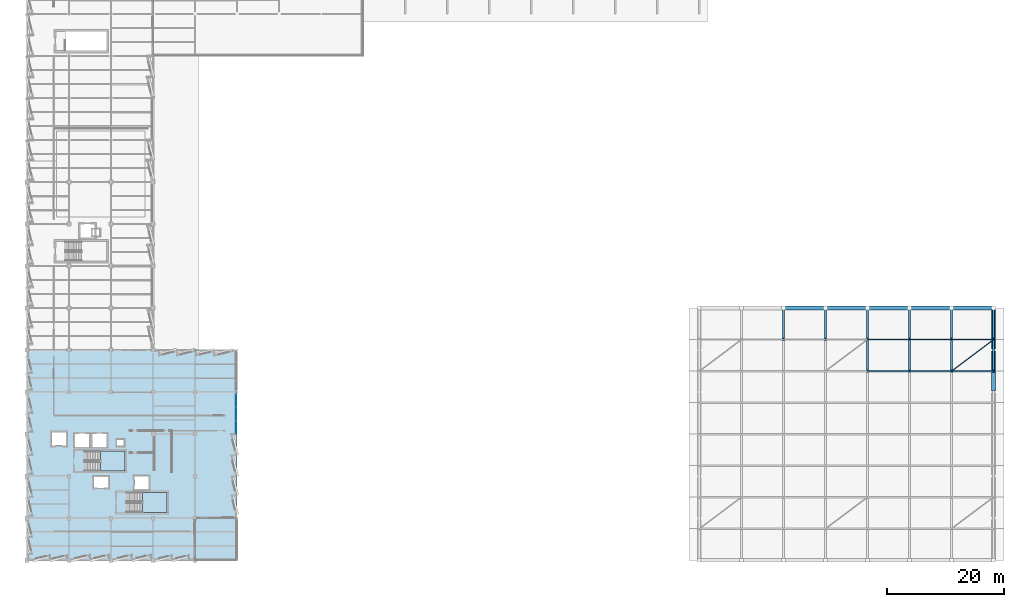
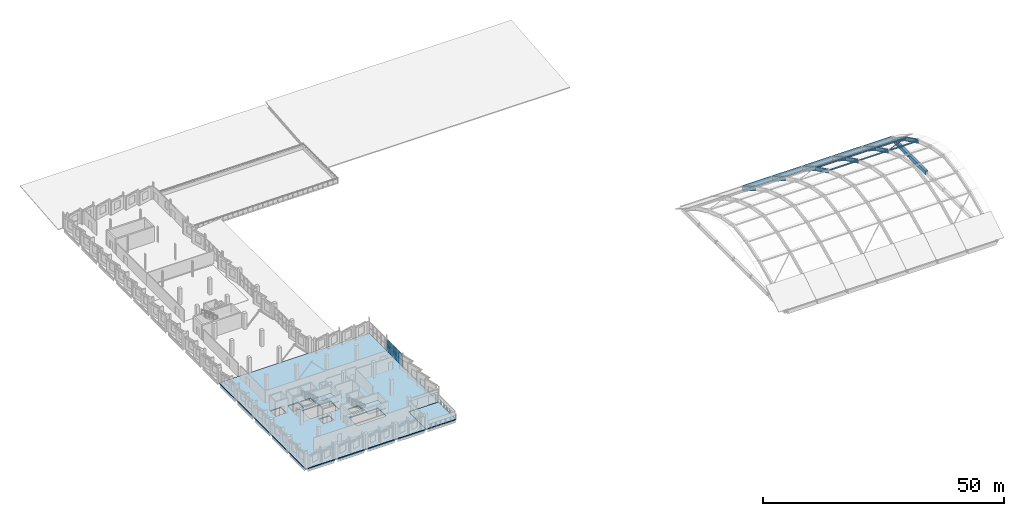
# One storey, part 22 of 38: 17 beams, 7 members, 6 plates, 4 slabs, 3 elements without a shape of their own.
"""IFC4 building model written with IfcOpenShell, lengths in metres."""

from ifc_helpers import new_model, si_unit, direction, frame, origin, origin_2d, place, context, subcontext, project, spatial, polyline, rectangle, hollow_rectangle, i_section, outline, extrude, material, layer, layer_set, material_profile, profile_set, type_object, element, aggregate, save


model = new_model("IFC4")

# Units and contexts
model_context = context("Model", 3, precision=1e-05, world=origin(), true_north=direction((0.0, 1.0)))
body_context = subcontext(model_context, "Body", "Model", "MODEL_VIEW")
ifc_project = project(units=[si_unit("LENGTHUNIT", "METRE"), si_unit("AREAUNIT", "SQUARE_METRE"), si_unit("VOLUMEUNIT", "CUBIC_METRE"), si_unit("PLANEANGLEUNIT", "RADIAN"), si_unit("MASSUNIT", "GRAM", prefix="KILO")], contexts=[model_context])

# Site, building, storey
site_placement = place(None, origin())
site = spatial("IfcSite", under=ifc_project, at=site_placement, CompositionType="ELEMENT")
building_placement = place(site_placement, origin())
building = spatial("IfcBuilding", under=site, at=building_placement, Name="Kalmorath City Hall", CompositionType="ELEMENT")
storey_placement = place(building_placement, frame((0.0, 0.0, 18.89990234375)))
storey = spatial("IfcBuildingStorey", under=building, at=storey_placement, Name="L04", CompositionType="ELEMENT", Elevation=18.89990234375)

# Beams
ifc_material_1 = material(Name="Concrete C50/60", Category="concrete")
ifc_material_profile_1 = material_profile(ifc_material_1, rectangle(XDim=0.64990234375, YDim=0.949951171875, at=origin_2d()), Name="RC-RING-650X950")
ifc_profile_set_1 = profile_set([ifc_material_profile_1], Name="Concrete C50/60")
beam_type_1 = type_object("IfcBeamType", Name="Concrete shell ring beam 650x950", PredefinedType="SPANDREL", material=ifc_profile_set_1)
beam_1_placement = place(storey_placement, frame((129.784423828125, 43.199951171875, -0.474853515625), z_axis=(1.0, 0.0, 0.0), x_axis=(0.0, 1.0, 0.0)))
element("IfcBeam", 1, at=beam_1_placement, inside=storey, type_object=beam_type_1, Name="Chamber shell perimeter edge beam RB1-N3", PredefinedType="SPANDREL", context=body_context, shape_type="SweptSolid", body=[
    extrude(rectangle(XDim=0.64990234375, YDim=0.949951171875, at=origin_2d()), origin(), (0.0, 0.0, 1.0), 6.8876953125),
])
for number, where, z_axis, x_axis, name in (
    (2, (136.927978515625, 43.199951171875, -0.474853515625), (1.0, 0.0, 0.0), (0.0, 1.0, 0.0), "Chamber shell perimeter edge beam RB1-N4"),
    (3, (144.1845703125, 43.199951171875, -0.474853515625), (1.0, 0.0, 0.0), (0.0, 1.0, 0.0), "Chamber shell perimeter edge beam RB1-N5"),
):
    element("IfcBeam", number, at=place(storey_placement, frame(where, z_axis=z_axis, x_axis=x_axis)), inside=storey, type_object=beam_type_1, Name=name, PredefinedType="SPANDREL", context=body_context, shape_type="SweptSolid", body=[
        extrude(rectangle(XDim=0.64990234375, YDim=0.949951171875, at=origin_2d()), origin(), (0.0, 0.0, 1.0), 6.887451171875),
    ])
beam_2_placement = place(storey_placement, frame((151.327880859375, 43.199951171875, -0.474853515625), z_axis=(1.0, 0.0, 0.0), x_axis=(0.0, 1.0, 0.0)))
element("IfcBeam", 4, at=beam_2_placement, inside=storey, type_object=beam_type_1, Name="Chamber shell perimeter edge beam RB1-N6", PredefinedType="SPANDREL", context=body_context, shape_type="SweptSolid", body=[
    extrude(rectangle(XDim=0.64990234375, YDim=0.949951171875, at=origin_2d()), origin(), (0.0, 0.0, 1.0), 6.8876953125),
])
beam_3_placement = place(storey_placement, frame((158.58447265625, 43.199951171875, -0.474853515625), z_axis=(1.0, 0.0, 0.0), x_axis=(0.0, 1.0, 0.0)))
element("IfcBeam", 5, at=beam_3_placement, inside=storey, type_object=beam_type_1, Name="Chamber shell perimeter edge beam RB1-N7", PredefinedType="SPANDREL", context=body_context, shape_type="SweptSolid", body=[
    extrude(rectangle(XDim=0.64990234375, YDim=0.949951171875, at=origin_2d()), origin(), (0.0, 0.0, 1.0), 6.887451171875),
])
for number, where, z_axis, x_axis, name in (
    (6, (165.60009765625, 28.97998046875, -0.474853515625), (0.0, 1.0, 0.0), (-1.0, 0.0, 0.0), "Chamber shell gable tie beam RB1-E5"),
    (7, (165.60009765625, 36.179931640625, -0.474853515625), (0.0, 1.0, 0.0), (-1.0, 0.0, 0.0), "Chamber shell gable tie beam RB1-E6"),
):
    element("IfcBeam", number, at=place(storey_placement, frame(where, z_axis=z_axis, x_axis=x_axis)), inside=storey, type_object=beam_type_1, Name=name, PredefinedType="SPANDREL", context=body_context, shape_type="SweptSolid", body=[
        extrude(rectangle(XDim=0.64990234375, YDim=0.949951171875, at=origin_2d()), origin(), (0.0, 0.0, 1.0), 6.840087890625),
    ])
ifc_material_2 = material(Name="Steel ASTM A992 Grade 50", Category="steel")
ifc_material_profile_2 = material_profile(ifc_material_2, i_section(OverallWidth=0.306884765625, OverallDepth=0.923095703125, WebThickness=0.018310546875, FlangeThickness=0.030029296875, FilletRadius=0.02392578125, at=origin_2d()), Name="W36X182")
ifc_profile_set_2 = profile_set([ifc_material_profile_2], Name="Steel ASTM A992 Grade 50")
beam_type_2 = type_object("IfcBeamType", Name="Steel parabolic shell arch rib W36X182", PredefinedType="BEAM", material=ifc_profile_set_2)
for number, where, z_axis, x_axis, name in (
    (8, (129.60009765625, 37.800048828125, 2.78564453125), (0.0, 0.840066062404, -0.542484111101), (-1.0, 0.0, 0.0), "Chamber shell arch rib AR2 R3.8"),
    (9, (136.800048828125, 37.800048828125, 2.78564453125), (0.0, 0.840066062404, -0.542484111101), (-1.0, 0.0, 0.0), "Chamber shell arch rib AR2 R4.8"),
):
    element("IfcBeam", number, at=place(storey_placement, frame(where, z_axis=z_axis, x_axis=x_axis)), inside=storey, type_object=beam_type_2, Name=name, PredefinedType="BEAM", context=body_context, shape_type="SweptSolid", body=[
        extrude(i_section(OverallWidth=0.306884765625, OverallDepth=0.923095703125, WebThickness=0.018310546875, FlangeThickness=0.030029296875, FilletRadius=0.02392578125, at=origin_2d()), origin(), (0.0, 0.0, 1.0), 6.427978515625),
    ])
beam_4_placement = place(storey_placement, frame((144.0, 32.39990234375, 5.41455078125), z_axis=(0.0, 0.899116638092, -0.437709117002), x_axis=(-1.0, 0.0, 0.0)))
element("IfcBeam", 10, at=beam_4_placement, inside=storey, type_object=beam_type_2, Name="Chamber shell arch rib AR2 R5.7", PredefinedType="BEAM", context=body_context, shape_type="SweptSolid", body=[
    extrude(i_section(OverallWidth=0.306884765625, OverallDepth=0.923095703125, WebThickness=0.018310546875, FlangeThickness=0.030029296875, FilletRadius=0.02392578125, at=origin_2d()), origin(), (0.0, 0.0, 1.0), 6.006103515625),
])
beam_5_placement = place(storey_placement, frame((144.0, 37.800048828125, 2.78564453125), z_axis=(0.0, 0.840066062404, -0.542484111101), x_axis=(-1.0, 0.0, 0.0)))
element("IfcBeam", 11, at=beam_5_placement, inside=storey, type_object=beam_type_2, Name="Chamber shell arch rib AR2 R5.8", PredefinedType="BEAM", context=body_context, shape_type="SweptSolid", body=[
    extrude(i_section(OverallWidth=0.306884765625, OverallDepth=0.923095703125, WebThickness=0.018310546875, FlangeThickness=0.030029296875, FilletRadius=0.02392578125, at=origin_2d()), origin(), (0.0, 0.0, 1.0), 6.427978515625),
])
beam_6_placement = place(storey_placement, frame((151.199951171875, 32.39990234375, 5.41455078125), z_axis=(0.0, 0.899116638092, -0.437709117002), x_axis=(-1.0, 0.0, 0.0)))
element("IfcBeam", 12, at=beam_6_placement, inside=storey, type_object=beam_type_2, Name="Chamber shell arch rib AR2 R6.7", PredefinedType="BEAM", context=body_context, shape_type="SweptSolid", body=[
    extrude(i_section(OverallWidth=0.306884765625, OverallDepth=0.923095703125, WebThickness=0.018310546875, FlangeThickness=0.030029296875, FilletRadius=0.02392578125, at=origin_2d()), origin(), (0.0, 0.0, 1.0), 6.006103515625),
])
beam_7_placement = place(storey_placement, frame((151.199951171875, 37.800048828125, 2.78564453125), z_axis=(0.0, 0.840066062404, -0.542484111101), x_axis=(-1.0, 0.0, 0.0)))
element("IfcBeam", 13, at=beam_7_placement, inside=storey, type_object=beam_type_2, Name="Chamber shell arch rib AR2 R6.8", PredefinedType="BEAM", context=body_context, shape_type="SweptSolid", body=[
    extrude(i_section(OverallWidth=0.306884765625, OverallDepth=0.923095703125, WebThickness=0.018310546875, FlangeThickness=0.030029296875, FilletRadius=0.02392578125, at=origin_2d()), origin(), (0.0, 0.0, 1.0), 6.427978515625),
])
ifc_material_3 = material(Name="Steel ASTM A992 Grade 50", Category="steel")
ifc_material_profile_3 = material_profile(ifc_material_3, i_section(OverallWidth=0.4189453125, OverallDepth=0.927001953125, WebThickness=0.019287109375, FlangeThickness=0.031982421875, FilletRadius=0.02392578125, at=origin_2d()), Name="W36X231")
ifc_profile_set_3 = profile_set([ifc_material_profile_3], Name="Steel ASTM A992 Grade 50")
beam_type_3 = type_object("IfcBeamType", Name="Steel parabolic shell arch rib W36X231", PredefinedType="BEAM", material=ifc_profile_set_3)
beam_8_placement = place(storey_placement, frame((165.60009765625, 32.39990234375, 5.41259765625), z_axis=(0.0, 0.899116638092, -0.437709117002), x_axis=(-1.0, 0.0, 0.0)))
element("IfcBeam", 14, at=beam_8_placement, inside=storey, type_object=beam_type_3, Name="Chamber shell arch rib AR1 R8.7", PredefinedType="BEAM", context=body_context, shape_type="SweptSolid", body=[
    extrude(i_section(OverallWidth=0.4189453125, OverallDepth=0.927001953125, WebThickness=0.019287109375, FlangeThickness=0.031982421875, FilletRadius=0.02392578125, at=origin_2d()), origin(), (0.0, 0.0, 1.0), 6.006103515625),
])
beam_9_placement = place(storey_placement, frame((165.60009765625, 37.800048828125, 2.78369140625), z_axis=(0.0, 0.840066062404, -0.542484111101), x_axis=(-1.0, 0.0, 0.0)))
element("IfcBeam", 15, at=beam_9_placement, inside=storey, type_object=beam_type_3, Name="Chamber shell arch rib AR1 R8.8", PredefinedType="BEAM", context=body_context, shape_type="SweptSolid", body=[
    extrude(i_section(OverallWidth=0.4189453125, OverallDepth=0.927001953125, WebThickness=0.019287109375, FlangeThickness=0.031982421875, FilletRadius=0.02392578125, at=origin_2d()), origin(), (0.0, 0.0, 1.0), 6.427978515625),
])

# Members
ifc_material_4 = material(Name="Steel ASTM A992 Grade 50", Category="steel")
ifc_material_profile_4 = material_profile(ifc_material_4, i_section(OverallWidth=0.202880859375, OverallDepth=0.302978515625, WebThickness=0.007568359375, FlangeThickness=0.01318359375, FilletRadius=0.014892578125, at=origin_2d()), Name="W12X40")
ifc_profile_set_4 = profile_set([ifc_material_profile_4], Name="Steel ASTM A992 Grade 50")
member_type_1 = type_object("IfcMemberType", Name="Steel roof purlin member W12X40", PredefinedType="PURLIN", material=ifc_profile_set_4)
for number, where, z_axis, x_axis, name in (
    (16, (151.199951171875, 32.39990234375, 5.586181640625), (1.0, 0.0, 0.0), (0.0, 1.0, 0.0), "Chamber shell purlin RF6-6.6"),
    (17, (151.199951171875, 37.800048828125, 2.95703125), (1.0, 0.0, 0.0), (0.0, 1.0, 0.0), "Chamber shell purlin RF6-6.7"),
):
    element("IfcMember", number, at=place(storey_placement, frame(where, z_axis=z_axis, x_axis=x_axis)), inside=storey, type_object=member_type_1, Name=name, PredefinedType="PURLIN", context=body_context, shape_type="SweptSolid", body=[
        extrude(i_section(OverallWidth=0.202880859375, OverallDepth=0.302978515625, WebThickness=0.007568359375, FlangeThickness=0.01318359375, FilletRadius=0.014892578125, at=origin_2d()), origin(), (0.0, 0.0, 1.0), 7.199951171875),
    ])
ifc_material_5 = material(Name="Steel ASTM A992 Grade 50", Category="steel")
ifc_material_profile_5 = material_profile(ifc_material_5, i_section(OverallWidth=0.2041015625, OverallDepth=0.35009765625, WebThickness=0.008544921875, FlangeThickness=0.01513671875, FilletRadius=0.014892578125, at=origin_2d()), Name="W14X48")
ifc_profile_set_5 = profile_set([ifc_material_profile_5], Name="Steel ASTM A992 Grade 50")
member_type_2 = type_object("IfcMemberType", Name="Steel roof purlin member W14X48", PredefinedType="PURLIN", material=ifc_profile_set_5)
for number, where, z_axis, x_axis, name in (
    (18, (144.0, 32.39990234375, 5.586181640625), (1.0, 0.0, 0.0), (0.0, 1.0, 0.0), "Chamber shell purlin RF5-5.6"),
    (19, (144.0, 37.800048828125, 2.95703125), (1.0, 0.0, 0.0), (0.0, 1.0, 0.0), "Chamber shell purlin RF5-5.7"),
):
    element("IfcMember", number, at=place(storey_placement, frame(where, z_axis=z_axis, x_axis=x_axis)), inside=storey, type_object=member_type_2, Name=name, PredefinedType="PURLIN", context=body_context, shape_type="SweptSolid", body=[
        extrude(i_section(OverallWidth=0.2041015625, OverallDepth=0.35009765625, WebThickness=0.008544921875, FlangeThickness=0.01513671875, FilletRadius=0.014892578125, at=origin_2d()), origin(), (0.0, 0.0, 1.0), 7.199951171875),
    ])
for number, where, z_axis, x_axis, name in (
    (20, (158.39990234375, 32.39990234375, 5.586181640625), (1.0, 0.0, 0.0), (0.0, 1.0, 0.0), "Chamber shell purlin RF5-7.6"),
    (21, (158.39990234375, 37.800048828125, 2.95703125), (1.0, 0.0, 0.0), (0.0, 1.0, 0.0), "Chamber shell purlin RF5-7.7"),
):
    element("IfcMember", number, at=place(storey_placement, frame(where, z_axis=z_axis, x_axis=x_axis)), inside=storey, type_object=member_type_2, Name=name, PredefinedType="PURLIN", context=body_context, shape_type="SweptSolid", body=[
        extrude(i_section(OverallWidth=0.2041015625, OverallDepth=0.35009765625, WebThickness=0.008544921875, FlangeThickness=0.01513671875, FilletRadius=0.014892578125, at=origin_2d()), origin(), (0.0, 0.0, 1.0), 7.2001953125),
    ])
ifc_material_6 = material(Name="Steel ASTM A500 Grade C", Category="steel")
ifc_material_profile_6 = material_profile(ifc_material_6, hollow_rectangle(XDim=0.152099609375, YDim=0.152099609375, WallThickness=0.0087890625, InnerFilletRadius=0.0087890625, OuterFilletRadius=0.017822265625, at=origin_2d()), Name="HSS152X152X9.5")
ifc_profile_set_6 = profile_set([ifc_material_profile_6], Name="Steel ASTM A500 Grade C")
member_type_3 = type_object("IfcMemberType", Name="Steel roof wind brace HSS152X152X9.5", PredefinedType="BRACE", material=ifc_profile_set_6)
member_placement = place(storey_placement, frame((158.39990234375, 32.39990234375, 5.666015625), z_axis=(0.767911986597, 0.575933989947, -0.280376924986), x_axis=(-0.6, 0.8, 0.0)))
element("IfcMember", 22, at=member_placement, inside=storey, type_object=member_type_3, Name="Chamber shell wind brace BR4-7.7", PredefinedType="BRACE", context=body_context, shape_type="SweptSolid", body=[
    extrude(hollow_rectangle(XDim=0.152099609375, YDim=0.152099609375, WallThickness=0.0087890625, InnerFilletRadius=0.0087890625, OuterFilletRadius=0.017822265625, at=origin_2d()), origin(), (0.0, 0.0, 1.0), 9.376220703125),
])

# Beams
ifc_material_7 = material(Name="Steel ASTM A992 Grade 50", Category="steel")
ifc_material_profile_7 = material_profile(ifc_material_7, i_section(OverallWidth=0.303955078125, OverallDepth=0.910888671875, WebThickness=0.015869140625, FlangeThickness=0.02392578125, FilletRadius=0.02392578125, at=origin_2d()), Name="W36X150")
ifc_profile_set_7 = profile_set([ifc_material_profile_7], Name="Steel ASTM A992 Grade 50")
beam_type_4 = type_object("IfcBeamType", Name="Steel shell edge girder W36X150", PredefinedType="SPANDREL", material=ifc_profile_set_7)
beam_10_placement = place(storey_placement, frame((158.39990234375, 32.39990234375, 5.420654296875), z_axis=(0.0, 0.899100640274, -0.437741977264), x_axis=(-1.0, 0.0, 0.0)))
element("IfcBeam", 23, at=beam_10_placement, inside=storey, type_object=beam_type_4, Name="Chamber shell arch rib AR3 R7.7", PredefinedType="BEAM", context=body_context, shape_type="SweptSolid", body=[
    extrude(i_section(OverallWidth=0.303955078125, OverallDepth=0.910888671875, WebThickness=0.015869140625, FlangeThickness=0.02392578125, FilletRadius=0.02392578125, at=origin_2d()), origin(), (0.0, 0.0, 1.0), 6.006103515625),
])
beam_11_placement = place(storey_placement, frame((158.39990234375, 37.800048828125, 2.79150390625), z_axis=(0.0, 0.840083371177, -0.542457306589), x_axis=(-1.0, 0.0, 0.0)))
element("IfcBeam", 24, at=beam_11_placement, inside=storey, type_object=beam_type_4, Name="Chamber shell arch rib AR3 R7.8", PredefinedType="BEAM", context=body_context, shape_type="SweptSolid", body=[
    extrude(i_section(OverallWidth=0.303955078125, OverallDepth=0.910888671875, WebThickness=0.015869140625, FlangeThickness=0.02392578125, FilletRadius=0.02392578125, at=origin_2d()), origin(), (0.0, 0.0, 1.0), 6.427734375),
])

# Slabs
ifc_material_8 = material(Name="Concrete C40/50", Category="concrete")
ifc_layer_1 = layer(ifc_material_8, 0.25)
ifc_layer_set_1 = layer_set([ifc_layer_1], Name="Concrete C40/50")
slab_type_1 = type_object("IfcSlabType", Name="Concrete municipal wing floor slab 250", PredefinedType="FLOOR", material=ifc_layer_set_1)
slab_1_placement = place(storey_placement, frame((0.0, 0.0, -0.25)))
element("IfcSlab", 25, at=slab_1_placement, inside=storey, type_object=slab_type_1, Name="L04 Corner Administration Block slab FS5-1", PredefinedType="FLOOR", context=body_context, shape_type="SweptSolid", body=[
    extrude(outline(polyline([(36.0, 7.199951171875), (28.800048828125, 7.199951171875), (28.800048828125, 0.0), (0.0, 0.0), (0.0, 36.0), (36.0, 36.0), (36.0, 7.199951171875)]), holes=[polyline([(16.800048828125, 15.300048828125), (16.800048828125, 18.699951171875), (9.840087890625, 18.699951171875), (9.840087890625, 15.300048828125), (16.800048828125, 15.300048828125)]), polyline([(4.199951171875, 19.64990234375), (6.699951171875, 19.64990234375), (6.699951171875, 21.949951171875), (4.199951171875, 21.949951171875), (4.199951171875, 19.64990234375)]), polyline([(8.199951171875, 21.699951171875), (8.199951171875, 19.39990234375), (10.699951171875, 19.39990234375), (10.699951171875, 21.699951171875), (8.199951171875, 21.699951171875)]), polyline([(13.699951171875, 21.699951171875), (11.199951171875, 21.699951171875), (11.199951171875, 19.39990234375), (13.699951171875, 19.39990234375), (13.699951171875, 21.699951171875)]), polyline([(24.0, 8.199951171875), (24.0, 11.60009765625), (17.0400390625, 11.60009765625), (17.0400390625, 8.199951171875), (24.0, 8.199951171875)]), polyline([(11.39990234375, 12.39990234375), (13.89990234375, 12.39990234375), (13.89990234375, 14.300048828125), (11.39990234375, 14.300048828125), (11.39990234375, 12.39990234375)]), polyline([(18.39990234375, 14.39990234375), (18.39990234375, 12.199951171875), (20.89990234375, 12.199951171875), (20.89990234375, 14.39990234375), (18.39990234375, 14.39990234375)]), polyline([(16.60009765625, 20.679931640625), (15.39990234375, 20.679931640625), (15.39990234375, 19.60009765625), (16.60009765625, 19.60009765625), (16.60009765625, 20.679931640625)])]), origin(), (0.0, 0.0, 1.0), 0.25),
])
ifc_material_9 = material(Name="Concrete C40/50", Category="concrete")
ifc_layer_2 = layer(ifc_material_9, 0.22998046875)
ifc_layer_set_2 = layer_set([ifc_layer_2], Name="Concrete C40/50")
slab_type_2 = type_object("IfcSlabType", Name="Concrete recessed corner loggia slab 230", PredefinedType="FLOOR", material=ifc_layer_set_2)
slab_2_placement = place(storey_placement, frame((0.0, 0.0, -0.22998046875)))
element("IfcSlab", 26, at=slab_2_placement, inside=storey, type_object=slab_type_2, Name="L04 Southeast Corner Loggia slab", PredefinedType="FLOOR", context=body_context, shape_type="SweptSolid", body=[
    extrude(outline(polyline([(28.800048828125, 0.0), (36.0, 0.0), (36.0, 7.199951171875), (28.800048828125, 7.199951171875), (28.800048828125, 0.0)])), origin(), (0.0, 0.0, 1.0), 0.22998046875),
])

# Stair, slab
ifc_material_10 = material(Name="Concrete C40/50", Category="concrete")
stair_type = type_object("IfcStairType", Name="Dogleg concrete exit stair 22R x 184mm W1600", PredefinedType="HALF_TURN_STAIR", material=ifc_material_10)
stair_1_placement = place(storey_placement, origin())
stair_1 = element("IfcStair", 27, at=stair_1_placement, inside=storey, type_object=stair_type, Name="L04 Protected exit stair ST-1", PredefinedType="HALF_TURN_STAIR")
ifc_material_11 = material(Name="Concrete C40/50", Category="concrete")
ifc_layer_3 = layer(ifc_material_11, 0.199951171875)
ifc_layer_set_3 = layer_set([ifc_layer_3], Name="Concrete C40/50")
slab_type_3 = type_object("IfcSlabType", Name="Concrete stair half-landing slab 200", PredefinedType="LANDING", material=ifc_layer_set_3)
slab_3_placement = place(storey_placement, frame((0.0, 0.0, 1.8251953125)))
slab_3 = element("IfcSlab", 28, at=slab_3_placement, type_object=slab_type_3, Name="ST-1 landing 1", PredefinedType="LANDING", context=body_context, shape_type="SweptSolid", body=[
    extrude(outline(polyline([(12.60009765625, 15.300048828125), (16.800048828125, 15.300048828125), (16.800048828125, 18.699951171875), (12.60009765625, 18.699951171875), (12.60009765625, 15.300048828125)])), origin(), (0.0, 0.0, 1.0), 0.199951171875),
])
aggregate(stair_1, [slab_3])

stair_2_placement = place(storey_placement, origin())
stair_2 = element("IfcStair", 29, at=stair_2_placement, inside=storey, type_object=stair_type, Name="L04 Protected exit stair ST-2", PredefinedType="HALF_TURN_STAIR")
slab_4_placement = place(storey_placement, frame((0.0, 0.0, 1.8251953125)))
slab_4 = element("IfcSlab", 30, at=slab_4_placement, type_object=slab_type_3, Name="ST-2 landing 1", PredefinedType="LANDING", context=body_context, shape_type="SweptSolid", body=[
    extrude(outline(polyline([(19.800048828125, 8.199951171875), (24.0, 8.199951171875), (24.0, 11.60009765625), (19.800048828125, 11.60009765625), (19.800048828125, 8.199951171875)])), origin(), (0.0, 0.0, 1.0), 0.199951171875),
])
aggregate(stair_2, [slab_4])

# Curtain wall, plates
ifc_material_12 = material(Name="Anodised aluminium and laminated glass", Category="aluminium")
curtain_wall_type = type_object("IfcCurtainWallType", Name="Unitised hurricane curtain wall 6935x3208 M2100", PredefinedType="NOTDEFINED", material=ifc_material_12)
curtain_wall_placement = place(storey_placement, origin())
curtain_wall = element("IfcCurtainWall", 31, at=curtain_wall_placement, inside=storey, type_object=curtain_wall_type, Name="L04 curtain wall CW-69X32M21 #164", PredefinedType="NOTDEFINED")
ifc_material_13 = material(Name="Hurricane laminated low-E glass", Category="glass")
ifc_layer_4 = layer(ifc_material_13, 0.031982421875)
ifc_layer_set_4 = layer_set([ifc_layer_4], Name="Hurricane laminated low-E glass")
plate_type = type_object("IfcPlateType", Name="Hurricane impact double-glazed panel 32", PredefinedType="CURTAIN_PANEL", material=ifc_layer_set_4)
plate_1_placement = place(storey_placement, frame((35.840087890625, 27.3603515625, 0.06494140625), z_axis=(0.0, 0.0, 1.0), x_axis=(0.0, -1.0, 0.0)))
plate_1 = element("IfcPlate", 32, at=plate_1_placement, type_object=plate_type, Name="CW-69X32M21 panel 1.1", PredefinedType="CURTAIN_PANEL", context=body_context, shape_type="SweptSolid", body=[
    extrude(rectangle(XDim=2.19921875, YDim=0.031982421875, at=origin_2d()), origin(), (0.0, 0.0, 1.0), 1.570556640625),
])
plate_2_placement = place(storey_placement, frame((35.840087890625, 27.3603515625, 1.70068359375), z_axis=(0.0, 0.0, 1.0), x_axis=(0.0, -1.0, 0.0)))
plate_2 = element("IfcPlate", 33, at=plate_2_placement, type_object=plate_type, Name="CW-69X32M21 panel 1.2", PredefinedType="CURTAIN_PANEL", context=body_context, shape_type="SweptSolid", body=[
    extrude(rectangle(XDim=2.19921875, YDim=0.031982421875, at=origin_2d()), origin(), (0.0, 0.0, 1.0), 1.4423828125),
])
plate_3_placement = place(storey_placement, frame((35.840087890625, 25.0673828125, 0.06494140625), z_axis=(0.0, 0.0, 1.0), x_axis=(0.0, -1.0, 0.0)))
plate_3 = element("IfcPlate", 34, at=plate_3_placement, type_object=plate_type, Name="CW-69X32M21 panel 2.1", PredefinedType="CURTAIN_PANEL", context=body_context, shape_type="SweptSolid", body=[
    extrude(rectangle(XDim=2.236572265625, YDim=0.031982421875, at=origin_2d()), origin(), (0.0, 0.0, 1.0), 1.570556640625),
])
plate_4_placement = place(storey_placement, frame((35.840087890625, 25.0673828125, 1.70068359375), z_axis=(0.0, 0.0, 1.0), x_axis=(0.0, -1.0, 0.0)))
plate_4 = element("IfcPlate", 35, at=plate_4_placement, type_object=plate_type, Name="CW-69X32M21 panel 2.2", PredefinedType="CURTAIN_PANEL", context=body_context, shape_type="SweptSolid", body=[
    extrude(rectangle(XDim=2.236572265625, YDim=0.031982421875, at=origin_2d()), origin(), (0.0, 0.0, 1.0), 1.4423828125),
])
plate_5_placement = place(storey_placement, frame((35.840087890625, 22.774658203125, 0.06494140625), z_axis=(0.0, 0.0, 1.0), x_axis=(0.0, -1.0, 0.0)))
plate_5 = element("IfcPlate", 36, at=plate_5_placement, type_object=plate_type, Name="CW-69X32M21 panel 3.1", PredefinedType="CURTAIN_PANEL", context=body_context, shape_type="SweptSolid", body=[
    extrude(rectangle(XDim=2.19921875, YDim=0.031982421875, at=origin_2d()), origin(), (0.0, 0.0, 1.0), 1.570556640625),
])
plate_6_placement = place(storey_placement, frame((35.840087890625, 22.774658203125, 1.70068359375), z_axis=(0.0, 0.0, 1.0), x_axis=(0.0, -1.0, 0.0)))
plate_6 = element("IfcPlate", 37, at=plate_6_placement, type_object=plate_type, Name="CW-69X32M21 panel 3.2", PredefinedType="CURTAIN_PANEL", context=body_context, shape_type="SweptSolid", body=[
    extrude(rectangle(XDim=2.19921875, YDim=0.031982421875, at=origin_2d()), origin(), (0.0, 0.0, 1.0), 1.4423828125),
])
aggregate(curtain_wall, [plate_1, plate_2, plate_3, plate_4, plate_5, plate_6])

save(model, "model.ifc")
